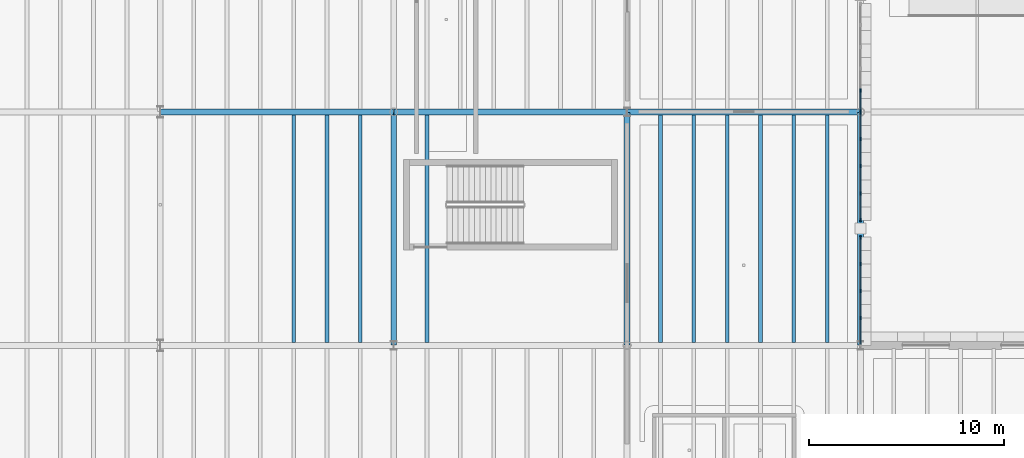
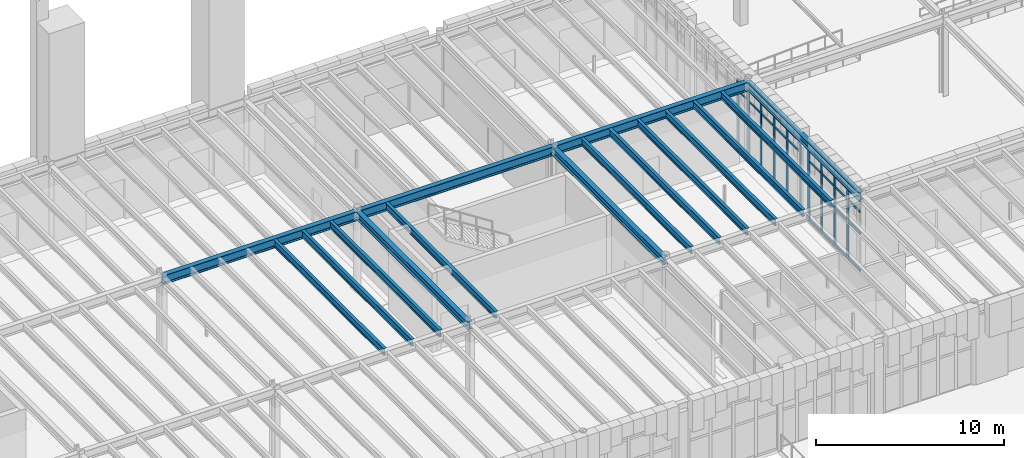
# One storey, part 24 of 103: 47 members, 16 beams, 3 elements without a shape of their own.
"""IFC4 building model written with IfcOpenShell, lengths in metres."""

from ifc_helpers import new_model, si_unit, direction, frame, origin, origin_2d, place, context, subcontext, project, spatial, rectangle, i_section, extrude, material, layer, layer_set, material_profile, profile_set, type_object, element, aggregate, save


model = new_model("IFC4")

# Units and contexts
model_context = context("Model", 3, precision=1e-05, world=origin(), true_north=direction((0.0, 1.0)))
body_context = subcontext(model_context, "Body", "Model", "MODEL_VIEW")
ifc_project = project(units=[si_unit("LENGTHUNIT", "METRE"), si_unit("AREAUNIT", "SQUARE_METRE"), si_unit("VOLUMEUNIT", "CUBIC_METRE"), si_unit("PLANEANGLEUNIT", "RADIAN"), si_unit("MASSUNIT", "GRAM", prefix="KILO")], contexts=[model_context])

# Site, building, storey
site_placement = place(None, origin())
site = spatial("IfcSite", under=ifc_project, at=site_placement, CompositionType="ELEMENT")
building_placement = place(site_placement, origin())
building = spatial("IfcBuilding", under=site, at=building_placement, Name="Zlatogorsky Bluff Art Gallery", CompositionType="ELEMENT")
storey_placement = place(building_placement, origin())
storey = spatial("IfcBuildingStorey", under=building, at=storey_placement, Name="L00", CompositionType="ELEMENT", Elevation=0.0)

# Beams
ifc_material_1 = material(Name="Steel S355", Category="steel")
ifc_material_profile_1 = material_profile(ifc_material_1, i_section(OverallWidth=0.300048828125, OverallDepth=0.590087890625, WebThickness=0.012939453125, FlangeThickness=0.02490234375, FilletRadius=0.027099609375, at=origin_2d()), Name="HEA 600")
ifc_profile_set_1 = profile_set([ifc_material_profile_1], Name="Steel S355")
beam_type_1 = type_object("IfcBeamType", Name="Beam BM-05 HEA 600", PredefinedType="BEAM", material=ifc_profile_set_1)
for number, where, z_axis, x_axis, name in (
    (1, (24.014892578125, 108.0, 4.844970703125), (1.0, 0.0, 0.0), (0.0, 1.0, 0.0), "Primary girder BM-05 L00 C-D/11"),
    (2, (36.014892578125, 108.0, 4.844970703125), (1.0, 0.0, 0.0), (0.0, 1.0, 0.0), "Primary girder BM-05 L00 D-E/11"),
    (3, (48.014892578125, 108.0, 4.844970703125), (1.0, 0.0, 0.0), (0.0, 1.0, 0.0), "Primary girder BM-05 L00 E-F/11"),
):
    element("IfcBeam", number, at=place(storey_placement, frame(where, z_axis=z_axis, x_axis=x_axis)), inside=storey, type_object=beam_type_1, Name=name, PredefinedType="BEAM", context=body_context, shape_type="SweptSolid", body=[
        extrude(i_section(OverallWidth=0.300048828125, OverallDepth=0.590087890625, WebThickness=0.012939453125, FlangeThickness=0.02490234375, FilletRadius=0.027099609375, at=origin_2d()), origin(), (0.0, 0.0, 1.0), 11.97021484375),
    ])
ifc_material_profile_2 = material_profile(ifc_material_1, i_section(OverallWidth=0.300048828125, OverallDepth=0.489990234375, WebThickness=0.011962890625, FlangeThickness=0.02294921875, FilletRadius=0.027099609375, at=origin_2d()), Name="HEA 500")
ifc_profile_set_2 = profile_set([ifc_material_profile_2], Name="Steel S355")
beam_type_2 = type_object("IfcBeamType", Name="Beam BM-07 HEA 500", PredefinedType="BEAM", material=ifc_profile_set_2)
for number, where, z_axis, x_axis, name in (
    (4, (36.0, 96.014892578125, 4.89501953125), (0.0, 1.0, 0.0), (-1.0, 0.0, 0.0), "Primary girder BM-07 L00 D/10-11"),
    (5, (48.0, 96.014892578125, 4.89501953125), (0.0, 1.0, 0.0), (-1.0, 0.0, 0.0), "Primary girder BM-07 L00 E/10-11"),
    (6, (60.0, 96.014892578125, 4.89501953125), (0.0, 1.0, 0.0), (-1.0, 0.0, 0.0), "Primary girder BM-07 L00 F/10-11"),
):
    element("IfcBeam", number, at=place(storey_placement, frame(where, z_axis=z_axis, x_axis=x_axis)), inside=storey, type_object=beam_type_2, Name=name, PredefinedType="BEAM", context=body_context, shape_type="SweptSolid", body=[
        extrude(i_section(OverallWidth=0.300048828125, OverallDepth=0.489990234375, WebThickness=0.011962890625, FlangeThickness=0.02294921875, FilletRadius=0.027099609375, at=origin_2d()), origin(), (0.0, 0.0, 1.0), 11.97021484375),
    ])
ifc_material_profile_3 = material_profile(ifc_material_1, i_section(OverallWidth=0.18994140625, OverallDepth=0.449951171875, WebThickness=0.009521484375, FlangeThickness=0.0146484375, FilletRadius=0.02099609375, at=origin_2d()), Name="IPE 450")
ifc_profile_set_3 = profile_set([ifc_material_profile_3], Name="Steel S355")
beam_type_3 = type_object("IfcBeamType", Name="Beam JS-06 IPE 450", PredefinedType="JOIST", material=ifc_profile_set_3)
for number, where, z_axis, x_axis, name in (
    (7, (30.857177734375, 96.14990234375, 4.9150390625), (0.0, 1.0, 0.0), (-1.0, 0.0, 0.0), "Composite floor joist JS-06 L00 02.09.4"),
    (8, (32.571533203125, 96.14990234375, 4.9150390625), (0.0, 1.0, 0.0), (-1.0, 0.0, 0.0), "Composite floor joist JS-06 L00 02.09.5"),
    (9, (34.28564453125, 96.14990234375, 4.9150390625), (0.0, 1.0, 0.0), (-1.0, 0.0, 0.0), "Composite floor joist JS-06 L00 02.09.6"),
    (10, (37.71435546875, 96.14990234375, 4.9150390625), (0.0, 1.0, 0.0), (-1.0, 0.0, 0.0), "Composite floor joist JS-06 L00 03.09.1"),
    (11, (49.71435546875, 96.14990234375, 4.9150390625), (0.0, 1.0, 0.0), (-1.0, 0.0, 0.0), "Composite floor joist JS-06 L00 04.09.1"),
    (12, (51.428466796875, 96.14990234375, 4.9150390625), (0.0, 1.0, 0.0), (-1.0, 0.0, 0.0), "Composite floor joist JS-06 L00 04.09.2"),
    (13, (53.142822265625, 96.14990234375, 4.9150390625), (0.0, 1.0, 0.0), (-1.0, 0.0, 0.0), "Composite floor joist JS-06 L00 04.09.3"),
    (14, (54.857177734375, 96.14990234375, 4.9150390625), (0.0, 1.0, 0.0), (-1.0, 0.0, 0.0), "Composite floor joist JS-06 L00 04.09.4"),
    (15, (56.571533203125, 96.14990234375, 4.9150390625), (0.0, 1.0, 0.0), (-1.0, 0.0, 0.0), "Composite floor joist JS-06 L00 04.09.5"),
    (16, (58.28564453125, 96.14990234375, 4.9150390625), (0.0, 1.0, 0.0), (-1.0, 0.0, 0.0), "Composite floor joist JS-06 L00 04.09.6"),
):
    element("IfcBeam", number, at=place(storey_placement, frame(where, z_axis=z_axis, x_axis=x_axis)), inside=storey, type_object=beam_type_3, Name=name, PredefinedType="JOIST", context=body_context, shape_type="SweptSolid", body=[
        extrude(i_section(OverallWidth=0.18994140625, OverallDepth=0.449951171875, WebThickness=0.009521484375, FlangeThickness=0.0146484375, FilletRadius=0.02099609375, at=origin_2d()), origin(), (0.0, 0.0, 1.0), 11.7001953125),
    ])

# Curtain wall, members
ifc_material_2 = material(Name="Anodised Bronze Aluminium and Low-Iron Triple Glazing", Category="aluminium")
ifc_layer_1 = layer(ifc_material_2, 0.179931640625)
ifc_layer_set_1 = layer_set([ifc_layer_1], Name="Curtain Wall CW-01")
curtain_wall_type_1 = type_object("IfcCurtainWallType", Name="Curtain Wall CW-01", PredefinedType="USERDEFINED", material=ifc_layer_set_1)
curtain_wall_1_placement = place(storey_placement, origin())
curtain_wall_1 = element("IfcCurtainWall", 17, at=curtain_wall_1_placement, inside=storey, type_object=curtain_wall_type_1, Name="Unitised curtain wall CW-01 L00 E 4.9-A", ObjectType="CURTAIN WALL", PredefinedType="USERDEFINED")
ifc_material_3 = material(Name="Anodised Bronze Aluminium", Category="aluminium")
ifc_material_profile_4 = material_profile(ifc_material_3, rectangle(XDim=0.06494140625, YDim=0.179931640625, at=origin_2d()), Name="ALU MULLION 65x180")
ifc_profile_set_4 = profile_set([ifc_material_profile_4], Name="Anodised Bronze Aluminium")
member_type_1 = type_object("IfcMemberType", Name="Curtain Mullion ML-01", PredefinedType="MULLION", material=ifc_profile_set_4)
member_1_placement = place(storey_placement, frame((60.0, 97.39501953125, 0.0), z_axis=(0.0, 0.0, 1.0), x_axis=(-1.0, 0.0, 0.0)))
member_1 = element("IfcMember", 18, at=member_1_placement, type_object=member_type_1, Name="CW-01 mullion 2", PredefinedType="MULLION", context=body_context, shape_type="SweptSolid", body=[
    extrude(rectangle(XDim=0.06494140625, YDim=0.179931640625, at=origin_2d()), origin(), (0.0, 0.0, 1.0), 4.56005859375),
])
member_2_placement = place(storey_placement, frame((60.0, 98.7900390625, 0.0), z_axis=(0.0, 0.0, 1.0), x_axis=(-1.0, 0.0, 0.0)))
member_2 = element("IfcMember", 19, at=member_2_placement, type_object=member_type_1, Name="CW-01 mullion 3", PredefinedType="MULLION", context=body_context, shape_type="SweptSolid", body=[
    extrude(rectangle(XDim=0.06494140625, YDim=0.179931640625, at=origin_2d()), origin(), (0.0, 0.0, 1.0), 4.56005859375),
])
member_3_placement = place(storey_placement, frame((60.0, 100.18505859375, 0.0), z_axis=(0.0, 0.0, 1.0), x_axis=(-1.0, 0.0, 0.0)))
member_3 = element("IfcMember", 20, at=member_3_placement, type_object=member_type_1, Name="CW-01 mullion 4", PredefinedType="MULLION", context=body_context, shape_type="SweptSolid", body=[
    extrude(rectangle(XDim=0.06494140625, YDim=0.179931640625, at=origin_2d()), origin(), (0.0, 0.0, 1.0), 4.56005859375),
])
member_4_placement = place(storey_placement, frame((60.0, 101.547607421875, 0.0), z_axis=(0.0, 0.0, 1.0), x_axis=(-1.0, 0.0, 0.0)))
member_4 = element("IfcMember", 21, at=member_4_placement, type_object=member_type_1, Name="CW-01 mullion 5", PredefinedType="MULLION", context=body_context, shape_type="SweptSolid", body=[
    extrude(rectangle(XDim=0.06494140625, YDim=0.179931640625, at=origin_2d()), origin(), (0.0, 0.0, 1.0), 4.56005859375),
])

curtain_wall_2_placement = place(storey_placement, origin())
curtain_wall_2 = element("IfcCurtainWall", 22, at=curtain_wall_2_placement, inside=storey, type_object=curtain_wall_type_1, Name="Unitised curtain wall CW-01 L00 E 4.9-B", ObjectType="CURTAIN WALL", PredefinedType="USERDEFINED")
member_5_placement = place(storey_placement, frame((60.0, 102.452392578125, 0.0), z_axis=(0.0, 0.0, 1.0), x_axis=(-1.0, 0.0, 0.0)))
member_5 = element("IfcMember", 23, at=member_5_placement, type_object=member_type_1, Name="CW-01 mullion 1", PredefinedType="MULLION", context=body_context, shape_type="SweptSolid", body=[
    extrude(rectangle(XDim=0.06494140625, YDim=0.179931640625, at=origin_2d()), origin(), (0.0, 0.0, 1.0), 4.56005859375),
])
member_6_placement = place(storey_placement, frame((60.0, 103.81494140625, 0.0), z_axis=(0.0, 0.0, 1.0), x_axis=(-1.0, 0.0, 0.0)))
member_6 = element("IfcMember", 24, at=member_6_placement, type_object=member_type_1, Name="CW-01 mullion 2", PredefinedType="MULLION", context=body_context, shape_type="SweptSolid", body=[
    extrude(rectangle(XDim=0.06494140625, YDim=0.179931640625, at=origin_2d()), origin(), (0.0, 0.0, 1.0), 4.56005859375),
])
member_7_placement = place(storey_placement, frame((60.0, 105.2099609375, 0.0), z_axis=(0.0, 0.0, 1.0), x_axis=(-1.0, 0.0, 0.0)))
member_7 = element("IfcMember", 25, at=member_7_placement, type_object=member_type_1, Name="CW-01 mullion 3", PredefinedType="MULLION", context=body_context, shape_type="SweptSolid", body=[
    extrude(rectangle(XDim=0.06494140625, YDim=0.179931640625, at=origin_2d()), origin(), (0.0, 0.0, 1.0), 4.56005859375),
])
member_8_placement = place(storey_placement, frame((60.0, 106.60498046875, 0.0), z_axis=(0.0, 0.0, 1.0), x_axis=(-1.0, 0.0, 0.0)))
member_8 = element("IfcMember", 26, at=member_8_placement, type_object=member_type_1, Name="CW-01 mullion 4", PredefinedType="MULLION", context=body_context, shape_type="SweptSolid", body=[
    extrude(rectangle(XDim=0.06494140625, YDim=0.179931640625, at=origin_2d()), origin(), (0.0, 0.0, 1.0), 4.56005859375),
])
member_9_placement = place(storey_placement, frame((60.0, 107.967529296875, 0.0), z_axis=(0.0, 0.0, 1.0), x_axis=(-1.0, 0.0, 0.0)))
member_9 = element("IfcMember", 27, at=member_9_placement, type_object=member_type_1, Name="CW-01 mullion 5", PredefinedType="MULLION", context=body_context, shape_type="SweptSolid", body=[
    extrude(rectangle(XDim=0.06494140625, YDim=0.179931640625, at=origin_2d()), origin(), (0.0, 0.0, 1.0), 4.56005859375),
])

ifc_layer_2 = layer(ifc_material_2, 0.179931640625)
ifc_layer_set_2 = layer_set([ifc_layer_2], Name="Curtain Wall CW-03")
curtain_wall_type_2 = type_object("IfcCurtainWallType", Name="Curtain Wall CW-03", PredefinedType="USERDEFINED", material=ifc_layer_set_2)
curtain_wall_3_placement = place(storey_placement, origin())
curtain_wall_3 = element("IfcCurtainWall", 28, at=curtain_wall_3_placement, inside=storey, type_object=curtain_wall_type_2, Name="Unitised curtain wall CW-03 L00 E 4.10-A", ObjectType="CURTAIN WALL", PredefinedType="USERDEFINED")
member_10_placement = place(storey_placement, frame((60.0, 108.032470703125, 0.0), z_axis=(0.0, 0.0, 1.0), x_axis=(-1.0, 0.0, 0.0)))
member_10 = element("IfcMember", 29, at=member_10_placement, type_object=member_type_1, Name="CW-03 mullion 1", PredefinedType="MULLION", context=body_context, shape_type="SweptSolid", body=[
    extrude(rectangle(XDim=0.06494140625, YDim=0.179931640625, at=origin_2d()), origin(), (0.0, 0.0, 1.0), 4.56005859375),
])
member_11_placement = place(storey_placement, frame((60.0, 109.115966796875, 0.0), z_axis=(0.0, 0.0, 1.0), x_axis=(-1.0, 0.0, 0.0)))
member_11 = element("IfcMember", 30, at=member_11_placement, type_object=member_type_1, Name="CW-03 mullion 2", PredefinedType="MULLION", context=body_context, shape_type="SweptSolid", body=[
    extrude(rectangle(XDim=0.06494140625, YDim=0.179931640625, at=origin_2d()), origin(), (0.0, 0.0, 1.0), 4.56005859375),
])

# Member
ifc_material_profile_5 = material_profile(ifc_material_3, rectangle(XDim=0.06494140625, YDim=0.139892578125, at=origin_2d()), Name="ALU TRANSOM 65x140")
ifc_profile_set_5 = profile_set([ifc_material_profile_5], Name="Anodised Bronze Aluminium")
member_type_2 = type_object("IfcMemberType", Name="Curtain Transom TR-01", PredefinedType="USERDEFINED", material=ifc_profile_set_5)
member_12_placement = place(storey_placement, frame((60.0, 96.06494140625, 0.032470703125), z_axis=(0.0, 1.0, 0.0), x_axis=(-1.0, 0.0, 0.0)))
member_12 = element("IfcMember", 31, at=member_12_placement, type_object=member_type_2, Name="CW-01 transom 1.1", ObjectType="TRANSOM", PredefinedType="USERDEFINED", context=body_context, shape_type="SweptSolid", body=[
    extrude(rectangle(XDim=0.06494140625, YDim=0.139892578125, at=origin_2d()), origin(), (0.0, 0.0, 1.0), 1.297607421875),
])

member_13_placement = place(storey_placement, frame((60.0, 96.06494140625, 2.449951171875), z_axis=(0.0, 1.0, 0.0), x_axis=(-1.0, 0.0, 0.0)))
member_13 = element("IfcMember", 32, at=member_13_placement, type_object=member_type_2, Name="CW-01 transom 1.2", ObjectType="TRANSOM", PredefinedType="USERDEFINED", context=body_context, shape_type="SweptSolid", body=[
    extrude(rectangle(XDim=0.06494140625, YDim=0.139892578125, at=origin_2d()), origin(), (0.0, 0.0, 1.0), 1.297607421875),
])

member_14_placement = place(storey_placement, frame((60.0, 96.06494140625, 3.85009765625), z_axis=(0.0, 1.0, 0.0), x_axis=(-1.0, 0.0, 0.0)))
member_14 = element("IfcMember", 33, at=member_14_placement, type_object=member_type_2, Name="CW-01 transom 1.3", ObjectType="TRANSOM", PredefinedType="USERDEFINED", context=body_context, shape_type="SweptSolid", body=[
    extrude(rectangle(XDim=0.06494140625, YDim=0.139892578125, at=origin_2d()), origin(), (0.0, 0.0, 1.0), 1.297607421875),
])

member_15_placement = place(storey_placement, frame((60.0, 96.06494140625, 4.527587890625), z_axis=(0.0, 1.0, 0.0), x_axis=(-1.0, 0.0, 0.0)))
member_15 = element("IfcMember", 34, at=member_15_placement, type_object=member_type_2, Name="CW-01 transom 1.4", ObjectType="TRANSOM", PredefinedType="USERDEFINED", context=body_context, shape_type="SweptSolid", body=[
    extrude(rectangle(XDim=0.06494140625, YDim=0.139892578125, at=origin_2d()), origin(), (0.0, 0.0, 1.0), 1.297607421875),
])

member_16_placement = place(storey_placement, frame((60.0, 97.427490234375, 0.032470703125), z_axis=(0.0, 1.0, 0.0), x_axis=(-1.0, 0.0, 0.0)))
member_16 = element("IfcMember", 35, at=member_16_placement, type_object=member_type_2, Name="CW-01 transom 2.1", ObjectType="TRANSOM", PredefinedType="USERDEFINED", context=body_context, shape_type="SweptSolid", body=[
    extrude(rectangle(XDim=0.06494140625, YDim=0.139892578125, at=origin_2d()), origin(), (0.0, 0.0, 1.0), 1.330078125),
])

member_17_placement = place(storey_placement, frame((60.0, 97.427490234375, 2.449951171875), z_axis=(0.0, 1.0, 0.0), x_axis=(-1.0, 0.0, 0.0)))
member_17 = element("IfcMember", 36, at=member_17_placement, type_object=member_type_2, Name="CW-01 transom 2.2", ObjectType="TRANSOM", PredefinedType="USERDEFINED", context=body_context, shape_type="SweptSolid", body=[
    extrude(rectangle(XDim=0.06494140625, YDim=0.139892578125, at=origin_2d()), origin(), (0.0, 0.0, 1.0), 1.330078125),
])

member_18_placement = place(storey_placement, frame((60.0, 97.427490234375, 3.85009765625), z_axis=(0.0, 1.0, 0.0), x_axis=(-1.0, 0.0, 0.0)))
member_18 = element("IfcMember", 37, at=member_18_placement, type_object=member_type_2, Name="CW-01 transom 2.3", ObjectType="TRANSOM", PredefinedType="USERDEFINED", context=body_context, shape_type="SweptSolid", body=[
    extrude(rectangle(XDim=0.06494140625, YDim=0.139892578125, at=origin_2d()), origin(), (0.0, 0.0, 1.0), 1.330078125),
])

member_19_placement = place(storey_placement, frame((60.0, 97.427490234375, 4.527587890625), z_axis=(0.0, 1.0, 0.0), x_axis=(-1.0, 0.0, 0.0)))
member_19 = element("IfcMember", 38, at=member_19_placement, type_object=member_type_2, Name="CW-01 transom 2.4", ObjectType="TRANSOM", PredefinedType="USERDEFINED", context=body_context, shape_type="SweptSolid", body=[
    extrude(rectangle(XDim=0.06494140625, YDim=0.139892578125, at=origin_2d()), origin(), (0.0, 0.0, 1.0), 1.330078125),
])

member_20_placement = place(storey_placement, frame((60.0, 98.822509765625, 0.032470703125), z_axis=(0.0, 1.0, 0.0), x_axis=(-1.0, 0.0, 0.0)))
member_20 = element("IfcMember", 39, at=member_20_placement, type_object=member_type_2, Name="CW-01 transom 3.1", ObjectType="TRANSOM", PredefinedType="USERDEFINED", context=body_context, shape_type="SweptSolid", body=[
    extrude(rectangle(XDim=0.06494140625, YDim=0.139892578125, at=origin_2d()), origin(), (0.0, 0.0, 1.0), 1.330078125),
])

member_21_placement = place(storey_placement, frame((60.0, 98.822509765625, 2.449951171875), z_axis=(0.0, 1.0, 0.0), x_axis=(-1.0, 0.0, 0.0)))
member_21 = element("IfcMember", 40, at=member_21_placement, type_object=member_type_2, Name="CW-01 transom 3.2", ObjectType="TRANSOM", PredefinedType="USERDEFINED", context=body_context, shape_type="SweptSolid", body=[
    extrude(rectangle(XDim=0.06494140625, YDim=0.139892578125, at=origin_2d()), origin(), (0.0, 0.0, 1.0), 1.330078125),
])

member_22_placement = place(storey_placement, frame((60.0, 98.822509765625, 3.85009765625), z_axis=(0.0, 1.0, 0.0), x_axis=(-1.0, 0.0, 0.0)))
member_22 = element("IfcMember", 41, at=member_22_placement, type_object=member_type_2, Name="CW-01 transom 3.3", ObjectType="TRANSOM", PredefinedType="USERDEFINED", context=body_context, shape_type="SweptSolid", body=[
    extrude(rectangle(XDim=0.06494140625, YDim=0.139892578125, at=origin_2d()), origin(), (0.0, 0.0, 1.0), 1.330078125),
])

member_23_placement = place(storey_placement, frame((60.0, 98.822509765625, 4.527587890625), z_axis=(0.0, 1.0, 0.0), x_axis=(-1.0, 0.0, 0.0)))
member_23 = element("IfcMember", 42, at=member_23_placement, type_object=member_type_2, Name="CW-01 transom 3.4", ObjectType="TRANSOM", PredefinedType="USERDEFINED", context=body_context, shape_type="SweptSolid", body=[
    extrude(rectangle(XDim=0.06494140625, YDim=0.139892578125, at=origin_2d()), origin(), (0.0, 0.0, 1.0), 1.330078125),
])

member_24_placement = place(storey_placement, frame((60.0, 100.217529296875, 0.032470703125), z_axis=(0.0, 1.0, 0.0), x_axis=(-1.0, 0.0, 0.0)))
member_24 = element("IfcMember", 43, at=member_24_placement, type_object=member_type_2, Name="CW-01 transom 4.1", ObjectType="TRANSOM", PredefinedType="USERDEFINED", context=body_context, shape_type="SweptSolid", body=[
    extrude(rectangle(XDim=0.06494140625, YDim=0.139892578125, at=origin_2d()), origin(), (0.0, 0.0, 1.0), 1.29736328125),
])

member_25_placement = place(storey_placement, frame((60.0, 100.217529296875, 2.449951171875), z_axis=(0.0, 1.0, 0.0), x_axis=(-1.0, 0.0, 0.0)))
member_25 = element("IfcMember", 44, at=member_25_placement, type_object=member_type_2, Name="CW-01 transom 4.2", ObjectType="TRANSOM", PredefinedType="USERDEFINED", context=body_context, shape_type="SweptSolid", body=[
    extrude(rectangle(XDim=0.06494140625, YDim=0.139892578125, at=origin_2d()), origin(), (0.0, 0.0, 1.0), 1.29736328125),
])

member_26_placement = place(storey_placement, frame((60.0, 100.217529296875, 3.85009765625), z_axis=(0.0, 1.0, 0.0), x_axis=(-1.0, 0.0, 0.0)))
member_26 = element("IfcMember", 45, at=member_26_placement, type_object=member_type_2, Name="CW-01 transom 4.3", ObjectType="TRANSOM", PredefinedType="USERDEFINED", context=body_context, shape_type="SweptSolid", body=[
    extrude(rectangle(XDim=0.06494140625, YDim=0.139892578125, at=origin_2d()), origin(), (0.0, 0.0, 1.0), 1.29736328125),
])

member_27_placement = place(storey_placement, frame((60.0, 100.217529296875, 4.527587890625), z_axis=(0.0, 1.0, 0.0), x_axis=(-1.0, 0.0, 0.0)))
member_27 = element("IfcMember", 46, at=member_27_placement, type_object=member_type_2, Name="CW-01 transom 4.4", ObjectType="TRANSOM", PredefinedType="USERDEFINED", context=body_context, shape_type="SweptSolid", body=[
    extrude(rectangle(XDim=0.06494140625, YDim=0.139892578125, at=origin_2d()), origin(), (0.0, 0.0, 1.0), 1.29736328125),
])

aggregate(curtain_wall_1, [member_1, member_2, member_3, member_4, member_12, member_13, member_14, member_15, member_16, member_17, member_18, member_19, member_20, member_21, member_22, member_23, member_24, member_25, member_26, member_27])

member_28_placement = place(storey_placement, frame((60.0, 102.485107421875, 0.032470703125), z_axis=(0.0, 1.0, 0.0), x_axis=(-1.0, 0.0, 0.0)))
member_28 = element("IfcMember", 47, at=member_28_placement, type_object=member_type_2, Name="CW-01 transom 1.1", ObjectType="TRANSOM", PredefinedType="USERDEFINED", context=body_context, shape_type="SweptSolid", body=[
    extrude(rectangle(XDim=0.06494140625, YDim=0.139892578125, at=origin_2d()), origin(), (0.0, 0.0, 1.0), 1.29736328125),
])

member_29_placement = place(storey_placement, frame((60.0, 102.485107421875, 2.449951171875), z_axis=(0.0, 1.0, 0.0), x_axis=(-1.0, 0.0, 0.0)))
member_29 = element("IfcMember", 48, at=member_29_placement, type_object=member_type_2, Name="CW-01 transom 1.2", ObjectType="TRANSOM", PredefinedType="USERDEFINED", context=body_context, shape_type="SweptSolid", body=[
    extrude(rectangle(XDim=0.06494140625, YDim=0.139892578125, at=origin_2d()), origin(), (0.0, 0.0, 1.0), 1.29736328125),
])

member_30_placement = place(storey_placement, frame((60.0, 102.485107421875, 3.85009765625), z_axis=(0.0, 1.0, 0.0), x_axis=(-1.0, 0.0, 0.0)))
member_30 = element("IfcMember", 49, at=member_30_placement, type_object=member_type_2, Name="CW-01 transom 1.3", ObjectType="TRANSOM", PredefinedType="USERDEFINED", context=body_context, shape_type="SweptSolid", body=[
    extrude(rectangle(XDim=0.06494140625, YDim=0.139892578125, at=origin_2d()), origin(), (0.0, 0.0, 1.0), 1.29736328125),
])

member_31_placement = place(storey_placement, frame((60.0, 102.485107421875, 4.527587890625), z_axis=(0.0, 1.0, 0.0), x_axis=(-1.0, 0.0, 0.0)))
member_31 = element("IfcMember", 50, at=member_31_placement, type_object=member_type_2, Name="CW-01 transom 1.4", ObjectType="TRANSOM", PredefinedType="USERDEFINED", context=body_context, shape_type="SweptSolid", body=[
    extrude(rectangle(XDim=0.06494140625, YDim=0.139892578125, at=origin_2d()), origin(), (0.0, 0.0, 1.0), 1.29736328125),
])

member_32_placement = place(storey_placement, frame((60.0, 103.847412109375, 0.032470703125), z_axis=(0.0, 1.0, 0.0), x_axis=(-1.0, 0.0, 0.0)))
member_32 = element("IfcMember", 51, at=member_32_placement, type_object=member_type_2, Name="CW-01 transom 2.1", ObjectType="TRANSOM", PredefinedType="USERDEFINED", context=body_context, shape_type="SweptSolid", body=[
    extrude(rectangle(XDim=0.06494140625, YDim=0.139892578125, at=origin_2d()), origin(), (0.0, 0.0, 1.0), 1.330078125),
])

member_33_placement = place(storey_placement, frame((60.0, 103.847412109375, 2.449951171875), z_axis=(0.0, 1.0, 0.0), x_axis=(-1.0, 0.0, 0.0)))
member_33 = element("IfcMember", 52, at=member_33_placement, type_object=member_type_2, Name="CW-01 transom 2.2", ObjectType="TRANSOM", PredefinedType="USERDEFINED", context=body_context, shape_type="SweptSolid", body=[
    extrude(rectangle(XDim=0.06494140625, YDim=0.139892578125, at=origin_2d()), origin(), (0.0, 0.0, 1.0), 1.330078125),
])

member_34_placement = place(storey_placement, frame((60.0, 103.847412109375, 3.85009765625), z_axis=(0.0, 1.0, 0.0), x_axis=(-1.0, 0.0, 0.0)))
member_34 = element("IfcMember", 53, at=member_34_placement, type_object=member_type_2, Name="CW-01 transom 2.3", ObjectType="TRANSOM", PredefinedType="USERDEFINED", context=body_context, shape_type="SweptSolid", body=[
    extrude(rectangle(XDim=0.06494140625, YDim=0.139892578125, at=origin_2d()), origin(), (0.0, 0.0, 1.0), 1.330078125),
])

member_35_placement = place(storey_placement, frame((60.0, 103.847412109375, 4.527587890625), z_axis=(0.0, 1.0, 0.0), x_axis=(-1.0, 0.0, 0.0)))
member_35 = element("IfcMember", 54, at=member_35_placement, type_object=member_type_2, Name="CW-01 transom 2.4", ObjectType="TRANSOM", PredefinedType="USERDEFINED", context=body_context, shape_type="SweptSolid", body=[
    extrude(rectangle(XDim=0.06494140625, YDim=0.139892578125, at=origin_2d()), origin(), (0.0, 0.0, 1.0), 1.330078125),
])

member_36_placement = place(storey_placement, frame((60.0, 105.242431640625, 0.032470703125), z_axis=(0.0, 1.0, 0.0), x_axis=(-1.0, 0.0, 0.0)))
member_36 = element("IfcMember", 55, at=member_36_placement, type_object=member_type_2, Name="CW-01 transom 3.1", ObjectType="TRANSOM", PredefinedType="USERDEFINED", context=body_context, shape_type="SweptSolid", body=[
    extrude(rectangle(XDim=0.06494140625, YDim=0.139892578125, at=origin_2d()), origin(), (0.0, 0.0, 1.0), 1.330078125),
])

member_37_placement = place(storey_placement, frame((60.0, 105.242431640625, 2.449951171875), z_axis=(0.0, 1.0, 0.0), x_axis=(-1.0, 0.0, 0.0)))
member_37 = element("IfcMember", 56, at=member_37_placement, type_object=member_type_2, Name="CW-01 transom 3.2", ObjectType="TRANSOM", PredefinedType="USERDEFINED", context=body_context, shape_type="SweptSolid", body=[
    extrude(rectangle(XDim=0.06494140625, YDim=0.139892578125, at=origin_2d()), origin(), (0.0, 0.0, 1.0), 1.330078125),
])

member_38_placement = place(storey_placement, frame((60.0, 105.242431640625, 3.85009765625), z_axis=(0.0, 1.0, 0.0), x_axis=(-1.0, 0.0, 0.0)))
member_38 = element("IfcMember", 57, at=member_38_placement, type_object=member_type_2, Name="CW-01 transom 3.3", ObjectType="TRANSOM", PredefinedType="USERDEFINED", context=body_context, shape_type="SweptSolid", body=[
    extrude(rectangle(XDim=0.06494140625, YDim=0.139892578125, at=origin_2d()), origin(), (0.0, 0.0, 1.0), 1.330078125),
])

member_39_placement = place(storey_placement, frame((60.0, 105.242431640625, 4.527587890625), z_axis=(0.0, 1.0, 0.0), x_axis=(-1.0, 0.0, 0.0)))
member_39 = element("IfcMember", 58, at=member_39_placement, type_object=member_type_2, Name="CW-01 transom 3.4", ObjectType="TRANSOM", PredefinedType="USERDEFINED", context=body_context, shape_type="SweptSolid", body=[
    extrude(rectangle(XDim=0.06494140625, YDim=0.139892578125, at=origin_2d()), origin(), (0.0, 0.0, 1.0), 1.330078125),
])

member_40_placement = place(storey_placement, frame((60.0, 106.637451171875, 0.032470703125), z_axis=(0.0, 1.0, 0.0), x_axis=(-1.0, 0.0, 0.0)))
member_40 = element("IfcMember", 59, at=member_40_placement, type_object=member_type_2, Name="CW-01 transom 4.1", ObjectType="TRANSOM", PredefinedType="USERDEFINED", context=body_context, shape_type="SweptSolid", body=[
    extrude(rectangle(XDim=0.06494140625, YDim=0.139892578125, at=origin_2d()), origin(), (0.0, 0.0, 1.0), 1.297607421875),
])

member_41_placement = place(storey_placement, frame((60.0, 106.637451171875, 2.449951171875), z_axis=(0.0, 1.0, 0.0), x_axis=(-1.0, 0.0, 0.0)))
member_41 = element("IfcMember", 60, at=member_41_placement, type_object=member_type_2, Name="CW-01 transom 4.2", ObjectType="TRANSOM", PredefinedType="USERDEFINED", context=body_context, shape_type="SweptSolid", body=[
    extrude(rectangle(XDim=0.06494140625, YDim=0.139892578125, at=origin_2d()), origin(), (0.0, 0.0, 1.0), 1.297607421875),
])

member_42_placement = place(storey_placement, frame((60.0, 106.637451171875, 3.85009765625), z_axis=(0.0, 1.0, 0.0), x_axis=(-1.0, 0.0, 0.0)))
member_42 = element("IfcMember", 61, at=member_42_placement, type_object=member_type_2, Name="CW-01 transom 4.3", ObjectType="TRANSOM", PredefinedType="USERDEFINED", context=body_context, shape_type="SweptSolid", body=[
    extrude(rectangle(XDim=0.06494140625, YDim=0.139892578125, at=origin_2d()), origin(), (0.0, 0.0, 1.0), 1.297607421875),
])

member_43_placement = place(storey_placement, frame((60.0, 106.637451171875, 4.527587890625), z_axis=(0.0, 1.0, 0.0), x_axis=(-1.0, 0.0, 0.0)))
member_43 = element("IfcMember", 62, at=member_43_placement, type_object=member_type_2, Name="CW-01 transom 4.4", ObjectType="TRANSOM", PredefinedType="USERDEFINED", context=body_context, shape_type="SweptSolid", body=[
    extrude(rectangle(XDim=0.06494140625, YDim=0.139892578125, at=origin_2d()), origin(), (0.0, 0.0, 1.0), 1.297607421875),
])

aggregate(curtain_wall_2, [member_5, member_6, member_7, member_8, member_9, member_28, member_29, member_30, member_31, member_32, member_33, member_34, member_35, member_36, member_37, member_38, member_39, member_40, member_41, member_42, member_43])

member_44_placement = place(storey_placement, frame((60.0, 108.06494140625, 0.032470703125), z_axis=(0.0, 1.0, 0.0), x_axis=(-1.0, 0.0, 0.0)))
member_44 = element("IfcMember", 63, at=member_44_placement, type_object=member_type_2, Name="CW-03 transom 1.1", ObjectType="TRANSOM", PredefinedType="USERDEFINED", context=body_context, shape_type="SweptSolid", body=[
    extrude(rectangle(XDim=0.06494140625, YDim=0.139892578125, at=origin_2d()), origin(), (0.0, 0.0, 1.0), 1.0185546875),
])

member_45_placement = place(storey_placement, frame((60.0, 108.06494140625, 2.449951171875), z_axis=(0.0, 1.0, 0.0), x_axis=(-1.0, 0.0, 0.0)))
member_45 = element("IfcMember", 64, at=member_45_placement, type_object=member_type_2, Name="CW-03 transom 1.2", ObjectType="TRANSOM", PredefinedType="USERDEFINED", context=body_context, shape_type="SweptSolid", body=[
    extrude(rectangle(XDim=0.06494140625, YDim=0.139892578125, at=origin_2d()), origin(), (0.0, 0.0, 1.0), 1.0185546875),
])

member_46_placement = place(storey_placement, frame((60.0, 108.06494140625, 3.85009765625), z_axis=(0.0, 1.0, 0.0), x_axis=(-1.0, 0.0, 0.0)))
member_46 = element("IfcMember", 65, at=member_46_placement, type_object=member_type_2, Name="CW-03 transom 1.3", ObjectType="TRANSOM", PredefinedType="USERDEFINED", context=body_context, shape_type="SweptSolid", body=[
    extrude(rectangle(XDim=0.06494140625, YDim=0.139892578125, at=origin_2d()), origin(), (0.0, 0.0, 1.0), 1.0185546875),
])

member_47_placement = place(storey_placement, frame((60.0, 108.06494140625, 4.527587890625), z_axis=(0.0, 1.0, 0.0), x_axis=(-1.0, 0.0, 0.0)))
member_47 = element("IfcMember", 66, at=member_47_placement, type_object=member_type_2, Name="CW-03 transom 1.4", ObjectType="TRANSOM", PredefinedType="USERDEFINED", context=body_context, shape_type="SweptSolid", body=[
    extrude(rectangle(XDim=0.06494140625, YDim=0.139892578125, at=origin_2d()), origin(), (0.0, 0.0, 1.0), 1.0185546875),
])

aggregate(curtain_wall_3, [member_10, member_11, member_44, member_45, member_46, member_47])

save(model, "model.ifc")
